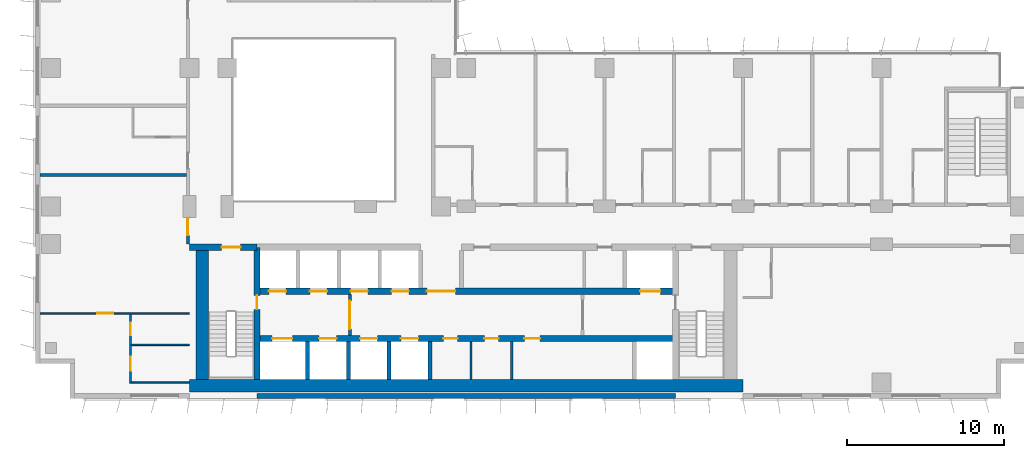
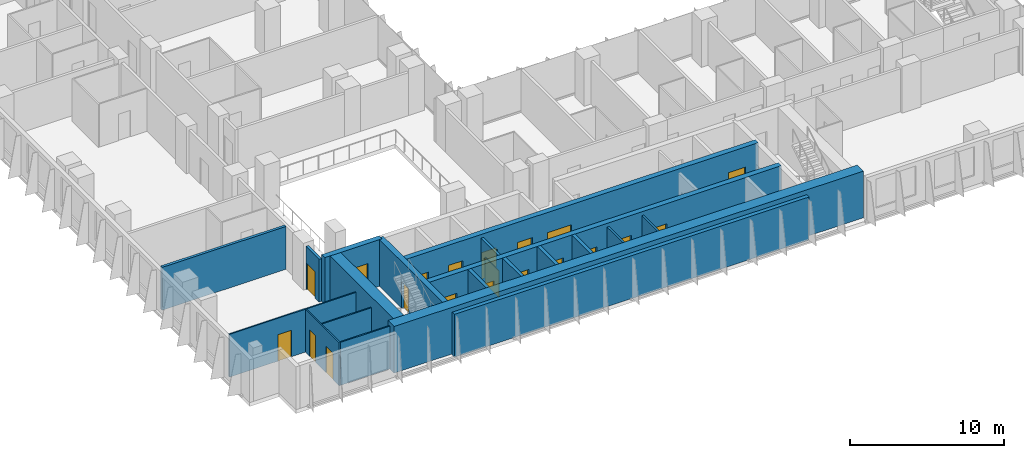
# One storey, part 12 of 22: 20 doors, 20 walls, 20 openings.
"""IFC4 building model written with IfcOpenShell, lengths in metres."""

from ifc_helpers import new_model, si_unit, direction, frame, frame_2d, origin, place, context, subcontext, project, spatial, rectangle, extrude, material, layer, layer_set, type_object, element, fill, save


model = new_model("IFC4")

# Units and contexts
model_context = context("Model", 3, precision=1e-05, world=origin(), true_north=direction((0.0, 1.0)))
body_context = subcontext(model_context, "Body", "Model", "MODEL_VIEW")
ifc_project = project(units=[si_unit("LENGTHUNIT", "METRE"), si_unit("AREAUNIT", "SQUARE_METRE"), si_unit("VOLUMEUNIT", "CUBIC_METRE"), si_unit("PLANEANGLEUNIT", "RADIAN"), si_unit("MASSUNIT", "GRAM", prefix="KILO")], contexts=[model_context])

# Site, building, storey
site_placement = place(None, origin())
site = spatial("IfcSite", under=ifc_project, at=site_placement, CompositionType="ELEMENT")
building_placement = place(site_placement, origin())
building = spatial("IfcBuilding", under=site, at=building_placement, Name="Kemantara Hotel Tower", CompositionType="ELEMENT")
storey_placement = place(building_placement, frame((0.0, 0.0, 111.10009765625)))
storey = spatial("IfcBuildingStorey", under=building, at=storey_placement, Name="L26", CompositionType="ELEMENT", Elevation=111.10009765625)

# Walls
ifc_material_1 = material(Name="Bronze anodised aluminium cladding on insulated steel stud wall", Category="steel")
ifc_layer_1 = layer(ifc_material_1, 0.300048828125)
ifc_layer_set_1 = layer_set([ifc_layer_1], Name="Bronze anodised aluminium cladding on insulated steel stud wall")
wall_type_1 = type_object("IfcWallType", Name="BRONZE METAL-CLAD EXTERNAL WALL 300", PredefinedType="STANDARD", material=ifc_layer_set_1)
wall_1_placement = place(storey_placement, frame((14.10009765625, 0.14990234375, 0.0), z_axis=(0.0, 0.0, 1.0), x_axis=(1.0, 0.0, 0.0)))
element("IfcWall", 1, at=wall_1_placement, inside=storey, type_object=wall_type_1, Name="EXTERNAL WALL L26 T2-R07-2", PredefinedType="STANDARD", context=body_context, shape_type="SweptSolid", body=[
    extrude(rectangle(XDim=26.599853515625, YDim=0.300048828125, at=frame_2d((13.2998046875, 0.0))), origin(), (0.0, 0.0, 1.0), 3.39990234375),
])
ifc_material_2 = material(Name="Concrete fc 70 MPa", Category="concrete")
ifc_layer_2 = layer(ifc_material_2, 0.25)
ifc_layer_set_2 = layer_set([ifc_layer_2], Name="Concrete fc 70 MPa")
wall_type_2 = type_object("IfcWallType", Name="CORE WALL 250 FC70", PredefinedType="SHEAR", material=ifc_layer_set_2)
for number, where, z_axis, x_axis, name in (
    (2, (17.300048828125, 1.199951171875, 0.0), (0.0, 0.0, 1.0), (0.0, 1.0, 0.0), "CORE WALL CW-DS17.3"),
    (3, (19.89990234375, 1.199951171875, 0.0), (0.0, 0.0, 1.0), (0.0, 1.0, 0.0), "CORE WALL CW-DS19.9"),
    (4, (22.5, 1.199951171875, 0.0), (0.0, 0.0, 1.0), (0.0, 1.0, 0.0), "CORE WALL CW-DS22.5"),
    (5, (25.10009765625, 1.199951171875, 0.0), (0.0, 0.0, 1.0), (0.0, 1.0, 0.0), "CORE WALL CW-DS25.1"),
):
    element("IfcWall", number, at=place(storey_placement, frame(where, z_axis=z_axis, x_axis=x_axis)), inside=storey, type_object=wall_type_2, Name=name, PredefinedType="SHEAR", context=body_context, shape_type="SweptSolid", body=[
        extrude(rectangle(XDim=2.400146484375, YDim=0.25, at=frame_2d((1.2001953125, 0.0))), origin(), (0.0, 0.0, 1.0), 3.699951171875),
    ])

# Wall, opening, door
ifc_layer_3 = layer(ifc_material_2, 0.39990234375)
ifc_layer_set_3 = layer_set([ifc_layer_3], Name="Concrete fc 70 MPa")
wall_type_3 = type_object("IfcWallType", Name="CORE WALL 400 FC70", PredefinedType="SHEAR", material=ifc_layer_set_3)
wall_2_placement = place(storey_placement, frame((9.800048828125, 9.60009765625, 0.0), z_axis=(0.0, 0.0, 1.0), x_axis=(1.0, 0.0, 0.0)))
wall_2 = element("IfcWall", 6, at=wall_2_placement, inside=storey, type_object=wall_type_3, Name="CORE WALL CW-N1", PredefinedType="SHEAR", context=body_context, shape_type="SweptSolid", body=[
    extrude(rectangle(XDim=4.300048828125, YDim=0.39990234375, at=frame_2d((2.14990234375, 0.0))), origin(), (0.0, 0.0, 1.0), 3.699951171875),
])
opening_1_placement = place(wall_2_placement, frame((2.050048828125, 0.0, 0.0)))
opening_1 = element("IfcOpeningElement", 7, at=opening_1_placement, cuts=wall_2, Name="Opening C19-ST1-C", PredefinedType="OPENING", context=body_context, shape_type="SweptSolid", body=[
    extrude(rectangle(XDim=1.199951171875, YDim=2.10009765625, at=frame_2d((0.60009765625, 1.050048828125))), frame((0.0, 0.2099609375, 0.0), z_axis=(0.0, -1.0, 0.0), x_axis=(1.0, 0.0, 0.0)), (0.0, 0.0, 1.0), 0.419921875),
])
ifc_material_3 = material(Name="Steel fire door", Category="steel")
door_type_1 = type_object("IfcDoorType", Name="Fire door FD90 1200 x 2100", OperationType="NOTDEFINED", PredefinedType="DOOR", material=ifc_material_3)
door_1_placement = place(opening_1_placement, frame((1.199951171875, 0.0, 0.0), z_axis=(0.0, 0.0, 1.0), x_axis=(-1.0, 0.0, 0.0)))
door_1 = element("IfcDoor", 8, at=door_1_placement, inside=storey, type_object=door_type_1, Name="Stair ST1 door to corridor", OperationType="SINGLE_SWING_LEFT", OverallHeight=2.10009765625, OverallWidth=1.199951171875, PredefinedType="DOOR", context=body_context, shape_type="SweptSolid", body=[
    extrude(rectangle(XDim=1.199951171875, YDim=2.10009765625, at=frame_2d((0.60009765625, 1.050048828125))), frame((0.0, 0.02490234375, 0.0), z_axis=(0.0, -1.0, 0.0), x_axis=(1.0, 0.0, 0.0)), (0.0, 0.0, 1.0), 0.050048828125),
])
fill(opening_1, door_1)

# Wall, openings, doors
wall_3_placement = place(storey_placement, frame((14.10009765625, 3.800048828125, 0.0), z_axis=(0.0, 0.0, 1.0), x_axis=(1.0, 0.0, 0.0)))
wall_3 = element("IfcWall", 9, at=wall_3_placement, inside=storey, type_object=wall_type_3, Name="CORE WALL CW-L1", PredefinedType="SHEAR", context=body_context, shape_type="SweptSolid", body=[
    extrude(rectangle(XDim=26.599853515625, YDim=0.39990234375, at=frame_2d((13.2998046875, 0.0))), origin(), (0.0, 0.0, 1.0), 3.699951171875),
])
opening_2_placement = place(wall_3_placement, frame((0.949951171875, 0.0, 0.0)))
opening_2 = element("IfcOpeningElement", 10, at=opening_2_placement, cuts=wall_3, Name="Opening C19-LD-FF1", PredefinedType="OPENING", context=body_context, shape_type="SweptSolid", body=[
    extrude(rectangle(XDim=1.300048828125, YDim=2.10009765625, at=frame_2d((0.64990234375, 1.050048828125))), frame((0.0, 0.2099609375, 0.0), z_axis=(0.0, -1.0, 0.0), x_axis=(1.0, 0.0, 0.0)), (0.0, 0.0, 1.0), 0.419921875),
])
opening_3_placement = place(wall_3_placement, frame((3.949951171875, 0.0, 0.0)))
opening_3 = element("IfcOpeningElement", 11, at=opening_3_placement, cuts=wall_3, Name="Opening C19-LD-SV1", PredefinedType="OPENING", context=body_context, shape_type="SweptSolid", body=[
    extrude(rectangle(XDim=1.10009765625, YDim=2.10009765625, at=frame_2d((0.550048828125, 1.050048828125))), frame((0.0, 0.2099609375, 0.0), z_axis=(0.0, -1.0, 0.0), x_axis=(1.0, 0.0, 0.0)), (0.0, 0.0, 1.0), 0.419921875),
])
opening_4_placement = place(wall_3_placement, frame((6.550048828125, 0.0, 0.0)))
opening_4 = element("IfcOpeningElement", 12, at=opening_4_placement, cuts=wall_3, Name="Opening C19-LD-SV2", PredefinedType="OPENING", context=body_context, shape_type="SweptSolid", body=[
    extrude(rectangle(XDim=1.10009765625, YDim=2.10009765625, at=frame_2d((0.550048828125, 1.050048828125))), frame((0.0, 0.2099609375, 0.0), z_axis=(0.0, -1.0, 0.0), x_axis=(1.0, 0.0, 0.0)), (0.0, 0.0, 1.0), 0.419921875),
])
opening_5_placement = place(wall_3_placement, frame((9.14990234375, 0.0, 0.0)))
opening_5 = element("IfcOpeningElement", 13, at=opening_5_placement, cuts=wall_3, Name="Opening C19-LD-SV3", PredefinedType="OPENING", context=body_context, shape_type="SweptSolid", body=[
    extrude(rectangle(XDim=1.10009765625, YDim=2.10009765625, at=frame_2d((0.550048828125, 1.050048828125))), frame((0.0, 0.2099609375, 0.0), z_axis=(0.0, -1.0, 0.0), x_axis=(1.0, 0.0, 0.0)), (0.0, 0.0, 1.0), 0.419921875),
])
opening_6_placement = place(wall_3_placement, frame((11.85009765625, 0.0, 0.0)))
opening_6 = element("IfcOpeningElement", 14, at=opening_6_placement, cuts=wall_3, Name="Opening C19-R-SM1", PredefinedType="OPENING", context=body_context, shape_type="SweptSolid", body=[
    extrude(rectangle(XDim=0.89990234375, YDim=2.10009765625, at=frame_2d((0.449951171875, 1.050048828125))), frame((0.0, 0.2099609375, 0.0), z_axis=(0.0, -1.0, 0.0), x_axis=(1.0, 0.0, 0.0)), (0.0, 0.0, 1.0), 0.419921875),
])
opening_7_placement = place(wall_3_placement, frame((14.449951171875, 0.0, 0.0)))
opening_7 = element("IfcOpeningElement", 15, at=opening_7_placement, cuts=wall_3, Name="Opening C19-R-SM2", PredefinedType="OPENING", context=body_context, shape_type="SweptSolid", body=[
    extrude(rectangle(XDim=0.89990234375, YDim=2.10009765625, at=frame_2d((0.449951171875, 1.050048828125))), frame((0.0, 0.2099609375, 0.0), z_axis=(0.0, -1.0, 0.0), x_axis=(1.0, 0.0, 0.0)), (0.0, 0.0, 1.0), 0.419921875),
])
opening_8_placement = place(wall_3_placement, frame((17.0, 0.0, 0.0)))
opening_8 = element("IfcOpeningElement", 16, at=opening_8_placement, cuts=wall_3, Name="Opening C19-R-SM3", PredefinedType="OPENING", context=body_context, shape_type="SweptSolid", body=[
    extrude(rectangle(XDim=1.0, YDim=2.10009765625, at=frame_2d((0.5, 1.050048828125))), frame((0.0, 0.2099609375, 0.0), z_axis=(0.0, -1.0, 0.0), x_axis=(1.0, 0.0, 0.0)), (0.0, 0.0, 1.0), 0.419921875),
])
door_type_2 = type_object("IfcDoorType", Name="Fire door FD30S 1000 x 2100", OperationType="NOTDEFINED", PredefinedType="DOOR", material=ifc_material_3)
door_2_placement = place(opening_8_placement, frame((1.0, 0.0, 0.0), z_axis=(0.0, 0.0, 1.0), x_axis=(-1.0, 0.0, 0.0)))
door_2 = element("IfcDoor", 17, at=door_2_placement, inside=storey, type_object=door_type_2, Name="Linen Store door", OperationType="SINGLE_SWING_LEFT", OverallHeight=2.10009765625, OverallWidth=1.0, PredefinedType="DOOR", context=body_context, shape_type="SweptSolid", body=[
    extrude(rectangle(XDim=1.0, YDim=2.10009765625, at=frame_2d((0.5, 1.050048828125))), frame((0.0, 0.02490234375, 0.0), z_axis=(0.0, -1.0, 0.0), x_axis=(1.0, 0.0, 0.0)), (0.0, 0.0, 1.0), 0.050048828125),
])
fill(opening_8, door_2)
door_type_3 = type_object("IfcDoorType", Name="Fire door FD30S 900 x 2100", OperationType="NOTDEFINED", PredefinedType="DOOR", material=ifc_material_3)
door_3_placement = place(opening_7_placement, frame((0.89990234375, 0.0, 0.0), z_axis=(0.0, 0.0, 1.0), x_axis=(-1.0, 0.0, 0.0)))
door_3 = element("IfcDoor", 18, at=door_3_placement, inside=storey, type_object=door_type_3, Name="Staff Wc door", OperationType="SINGLE_SWING_LEFT", OverallHeight=2.10009765625, OverallWidth=0.89990234375, PredefinedType="DOOR", context=body_context, shape_type="SweptSolid", body=[
    extrude(rectangle(XDim=0.89990234375, YDim=2.10009765625, at=frame_2d((0.449951171875, 1.050048828125))), frame((0.0, 0.02490234375, 0.0), z_axis=(0.0, -1.0, 0.0), x_axis=(1.0, 0.0, 0.0)), (0.0, 0.0, 1.0), 0.050048828125),
])
fill(opening_7, door_3)
door_type_4 = type_object("IfcDoorType", Name="Fire door FD60 900 x 2100", OperationType="NOTDEFINED", PredefinedType="DOOR", material=ifc_material_3)
door_4_placement = place(opening_6_placement, frame((0.89990234375, 0.0, 0.0), z_axis=(0.0, 0.0, 1.0), x_axis=(-1.0, 0.0, 0.0)))
door_4 = element("IfcDoor", 19, at=door_4_placement, inside=storey, type_object=door_type_4, Name="Electrical Riser Room door", OperationType="SINGLE_SWING_RIGHT", OverallHeight=2.10009765625, OverallWidth=0.89990234375, PredefinedType="DOOR", context=body_context, shape_type="SweptSolid", body=[
    extrude(rectangle(XDim=0.89990234375, YDim=2.10009765625, at=frame_2d((0.449951171875, 1.050048828125))), frame((0.0, 0.02490234375, 0.0), z_axis=(0.0, -1.0, 0.0), x_axis=(1.0, 0.0, 0.0)), (0.0, 0.0, 1.0), 0.050048828125),
])
fill(opening_6, door_4)
ifc_material_4 = material(Name="Stainless steel lift door", Category="steel")
door_type_5 = type_object("IfcDoorType", Name="Lift landing door 1100 x 2100 FD60", OperationType="DOUBLE_DOOR_SLIDING", PredefinedType="DOOR", material=ifc_material_4)
door_5_placement = place(opening_3_placement, origin())
door_5 = element("IfcDoor", 20, at=door_5_placement, inside=storey, type_object=door_type_5, Name="Lift SV1 landing door", OperationType="DOUBLE_DOOR_SLIDING", OverallHeight=2.10009765625, OverallWidth=1.10009765625, PredefinedType="DOOR", context=body_context, shape_type="SweptSolid", body=[
    extrude(rectangle(XDim=1.10009765625, YDim=2.10009765625, at=frame_2d((0.550048828125, 1.050048828125))), frame((0.0, 0.02490234375, 0.0), z_axis=(0.0, -1.0, 0.0), x_axis=(1.0, 0.0, 0.0)), (0.0, 0.0, 1.0), 0.050048828125),
])
fill(opening_3, door_5)
door_6_placement = place(opening_4_placement, origin())
door_6 = element("IfcDoor", 21, at=door_6_placement, inside=storey, type_object=door_type_5, Name="Lift SV2 landing door", OperationType="DOUBLE_DOOR_SLIDING", OverallHeight=2.10009765625, OverallWidth=1.10009765625, PredefinedType="DOOR", context=body_context, shape_type="SweptSolid", body=[
    extrude(rectangle(XDim=1.10009765625, YDim=2.10009765625, at=frame_2d((0.550048828125, 1.050048828125))), frame((0.0, 0.02490234375, 0.0), z_axis=(0.0, -1.0, 0.0), x_axis=(1.0, 0.0, 0.0)), (0.0, 0.0, 1.0), 0.050048828125),
])
fill(opening_4, door_6)
door_7_placement = place(opening_5_placement, origin())
door_7 = element("IfcDoor", 22, at=door_7_placement, inside=storey, type_object=door_type_5, Name="Lift SV3 landing door", OperationType="DOUBLE_DOOR_SLIDING", OverallHeight=2.10009765625, OverallWidth=1.10009765625, PredefinedType="DOOR", context=body_context, shape_type="SweptSolid", body=[
    extrude(rectangle(XDim=1.10009765625, YDim=2.10009765625, at=frame_2d((0.550048828125, 1.050048828125))), frame((0.0, 0.02490234375, 0.0), z_axis=(0.0, -1.0, 0.0), x_axis=(1.0, 0.0, 0.0)), (0.0, 0.0, 1.0), 0.050048828125),
])
fill(opening_5, door_7)
door_type_6 = type_object("IfcDoorType", Name="Lift landing door 1300 x 2100 FD90", OperationType="DOUBLE_DOOR_SLIDING", PredefinedType="DOOR", material=ifc_material_4)
door_8_placement = place(opening_2_placement, origin())
door_8 = element("IfcDoor", 23, at=door_8_placement, inside=storey, type_object=door_type_6, Name="Lift FF1 landing door", OperationType="DOUBLE_DOOR_SLIDING", OverallHeight=2.10009765625, OverallWidth=1.300048828125, PredefinedType="DOOR", context=body_context, shape_type="SweptSolid", body=[
    extrude(rectangle(XDim=1.300048828125, YDim=2.10009765625, at=frame_2d((0.64990234375, 1.050048828125))), frame((0.0, 0.02490234375, 0.0), z_axis=(0.0, -1.0, 0.0), x_axis=(1.0, 0.0, 0.0)), (0.0, 0.0, 1.0), 0.050048828125),
])
fill(opening_2, door_8)

wall_4_placement = place(storey_placement, frame((14.10009765625, 6.800048828125, 0.0), z_axis=(0.0, 0.0, 1.0), x_axis=(1.0, 0.0, 0.0)))
wall_4 = element("IfcWall", 24, at=wall_4_placement, inside=storey, type_object=wall_type_3, Name="CORE WALL CW-L2", PredefinedType="SHEAR", context=body_context, shape_type="SweptSolid", body=[
    extrude(rectangle(XDim=26.599853515625, YDim=0.39990234375, at=frame_2d((13.2998046875, 0.0))), origin(), (0.0, 0.0, 1.0), 3.699951171875),
])
opening_9_placement = place(wall_4_placement, frame((10.800048828125, 0.0, 0.0)))
opening_9 = element("IfcOpeningElement", 25, at=opening_9_placement, cuts=wall_4, Name="Opening C19-VL", PredefinedType="OPENING", context=body_context, shape_type="SweptSolid", body=[
    extrude(rectangle(XDim=1.800048828125, YDim=2.10009765625, at=frame_2d((0.89990234375, 1.050048828125))), frame((0.0, 0.2099609375, 0.0), z_axis=(0.0, -1.0, 0.0), x_axis=(1.0, 0.0, 0.0)), (0.0, 0.0, 1.0), 0.419921875),
])
opening_10_placement = place(wall_4_placement, frame((0.75, 0.0, 0.0)))
opening_10 = element("IfcOpeningElement", 26, at=opening_10_placement, cuts=wall_4, Name="Opening C19-LD-MR1", PredefinedType="OPENING", context=body_context, shape_type="SweptSolid", body=[
    extrude(rectangle(XDim=1.10009765625, YDim=2.10009765625, at=frame_2d((0.550048828125, 1.050048828125))), frame((0.0, 0.2099609375, 0.0), z_axis=(0.0, -1.0, 0.0), x_axis=(1.0, 0.0, 0.0)), (0.0, 0.0, 1.0), 0.419921875),
])
opening_11_placement = place(wall_4_placement, frame((3.35009765625, 0.0, 0.0)))
opening_11 = element("IfcOpeningElement", 27, at=opening_11_placement, cuts=wall_4, Name="Opening C19-LD-MR2", PredefinedType="OPENING", context=body_context, shape_type="SweptSolid", body=[
    extrude(rectangle(XDim=1.10009765625, YDim=2.10009765625, at=frame_2d((0.550048828125, 1.050048828125))), frame((0.0, 0.2099609375, 0.0), z_axis=(0.0, -1.0, 0.0), x_axis=(1.0, 0.0, 0.0)), (0.0, 0.0, 1.0), 0.419921875),
])
opening_12_placement = place(wall_4_placement, frame((5.949951171875, 0.0, 0.0)))
opening_12 = element("IfcOpeningElement", 28, at=opening_12_placement, cuts=wall_4, Name="Opening C19-LD-MR3", PredefinedType="OPENING", context=body_context, shape_type="SweptSolid", body=[
    extrude(rectangle(XDim=1.10009765625, YDim=2.10009765625, at=frame_2d((0.550048828125, 1.050048828125))), frame((0.0, 0.2099609375, 0.0), z_axis=(0.0, -1.0, 0.0), x_axis=(1.0, 0.0, 0.0)), (0.0, 0.0, 1.0), 0.419921875),
])
opening_13_placement = place(wall_4_placement, frame((8.550048828125, 0.0, 0.0)))
opening_13 = element("IfcOpeningElement", 29, at=opening_13_placement, cuts=wall_4, Name="Opening C19-LD-MR4", PredefinedType="OPENING", context=body_context, shape_type="SweptSolid", body=[
    extrude(rectangle(XDim=1.10009765625, YDim=2.10009765625, at=frame_2d((0.550048828125, 1.050048828125))), frame((0.0, 0.2099609375, 0.0), z_axis=(0.0, -1.0, 0.0), x_axis=(1.0, 0.0, 0.0)), (0.0, 0.0, 1.0), 0.419921875),
])
opening_14_placement = place(wall_4_placement, frame((24.35009765625, 0.0, 0.0)))
opening_14 = element("IfcOpeningElement", 30, at=opening_14_placement, cuts=wall_4, Name="Opening C19-LD-FF2", PredefinedType="OPENING", context=body_context, shape_type="SweptSolid", body=[
    extrude(rectangle(XDim=1.300048828125, YDim=2.10009765625, at=frame_2d((0.64990234375, 1.050048828125))), frame((0.0, 0.2099609375, 0.0), z_axis=(0.0, -1.0, 0.0), x_axis=(1.0, 0.0, 0.0)), (0.0, 0.0, 1.0), 0.419921875),
])
door_type_7 = type_object("IfcDoorType", Name="Fire door pair FD60 1800 x 2100", OperationType="DOUBLE_DOOR_SINGLE_SWING", PredefinedType="DOOR", material=ifc_material_3)
door_9_placement = place(opening_9_placement, frame((1.800048828125, 0.0, 0.0), z_axis=(0.0, 0.0, 1.0), x_axis=(-1.0, 0.0, 0.0)))
door_9 = element("IfcDoor", 31, at=door_9_placement, inside=storey, type_object=door_type_7, Name="Lift lobby entry door", OperationType="DOUBLE_DOOR_SINGLE_SWING", OverallHeight=2.10009765625, OverallWidth=1.800048828125, PredefinedType="DOOR", context=body_context, shape_type="SweptSolid", body=[
    extrude(rectangle(XDim=1.800048828125, YDim=2.10009765625, at=frame_2d((0.89990234375, 1.050048828125))), frame((0.0, 0.02490234375, 0.0), z_axis=(0.0, -1.0, 0.0), x_axis=(1.0, 0.0, 0.0)), (0.0, 0.0, 1.0), 0.050048828125),
])
fill(opening_9, door_9)
door_10_placement = place(opening_10_placement, origin())
door_10 = element("IfcDoor", 32, at=door_10_placement, inside=storey, type_object=door_type_5, Name="Lift MR1 landing door", OperationType="DOUBLE_DOOR_SLIDING", OverallHeight=2.10009765625, OverallWidth=1.10009765625, PredefinedType="DOOR", context=body_context, shape_type="SweptSolid", body=[
    extrude(rectangle(XDim=1.10009765625, YDim=2.10009765625, at=frame_2d((0.550048828125, 1.050048828125))), frame((0.0, 0.02490234375, 0.0), z_axis=(0.0, -1.0, 0.0), x_axis=(1.0, 0.0, 0.0)), (0.0, 0.0, 1.0), 0.050048828125),
])
fill(opening_10, door_10)
door_11_placement = place(opening_11_placement, origin())
door_11 = element("IfcDoor", 33, at=door_11_placement, inside=storey, type_object=door_type_5, Name="Lift MR2 landing door", OperationType="DOUBLE_DOOR_SLIDING", OverallHeight=2.10009765625, OverallWidth=1.10009765625, PredefinedType="DOOR", context=body_context, shape_type="SweptSolid", body=[
    extrude(rectangle(XDim=1.10009765625, YDim=2.10009765625, at=frame_2d((0.550048828125, 1.050048828125))), frame((0.0, 0.02490234375, 0.0), z_axis=(0.0, -1.0, 0.0), x_axis=(1.0, 0.0, 0.0)), (0.0, 0.0, 1.0), 0.050048828125),
])
fill(opening_11, door_11)
door_12_placement = place(opening_12_placement, origin())
door_12 = element("IfcDoor", 34, at=door_12_placement, inside=storey, type_object=door_type_5, Name="Lift MR3 landing door", OperationType="DOUBLE_DOOR_SLIDING", OverallHeight=2.10009765625, OverallWidth=1.10009765625, PredefinedType="DOOR", context=body_context, shape_type="SweptSolid", body=[
    extrude(rectangle(XDim=1.10009765625, YDim=2.10009765625, at=frame_2d((0.550048828125, 1.050048828125))), frame((0.0, 0.02490234375, 0.0), z_axis=(0.0, -1.0, 0.0), x_axis=(1.0, 0.0, 0.0)), (0.0, 0.0, 1.0), 0.050048828125),
])
fill(opening_12, door_12)
door_13_placement = place(opening_13_placement, origin())
door_13 = element("IfcDoor", 35, at=door_13_placement, inside=storey, type_object=door_type_5, Name="Lift MR4 landing door", OperationType="DOUBLE_DOOR_SLIDING", OverallHeight=2.10009765625, OverallWidth=1.10009765625, PredefinedType="DOOR", context=body_context, shape_type="SweptSolid", body=[
    extrude(rectangle(XDim=1.10009765625, YDim=2.10009765625, at=frame_2d((0.550048828125, 1.050048828125))), frame((0.0, 0.02490234375, 0.0), z_axis=(0.0, -1.0, 0.0), x_axis=(1.0, 0.0, 0.0)), (0.0, 0.0, 1.0), 0.050048828125),
])
fill(opening_13, door_13)
door_14_placement = place(opening_14_placement, origin())
door_14 = element("IfcDoor", 36, at=door_14_placement, inside=storey, type_object=door_type_6, Name="Lift FF2 landing door", OperationType="DOUBLE_DOOR_SLIDING", OverallHeight=2.10009765625, OverallWidth=1.300048828125, PredefinedType="DOOR", context=body_context, shape_type="SweptSolid", body=[
    extrude(rectangle(XDim=1.300048828125, YDim=2.10009765625, at=frame_2d((0.64990234375, 1.050048828125))), frame((0.0, 0.02490234375, 0.0), z_axis=(0.0, -1.0, 0.0), x_axis=(1.0, 0.0, 0.0)), (0.0, 0.0, 1.0), 0.050048828125),
])
fill(opening_14, door_14)

# Wall, opening, door
wall_5_placement = place(storey_placement, frame((14.10009765625, 1.199951171875, 0.0), z_axis=(0.0, 0.0, 1.0), x_axis=(0.0, 1.0, 0.0)))
wall_5 = element("IfcWall", 37, at=wall_5_placement, inside=storey, type_object=wall_type_3, Name="CORE WALL CW-ST1E", PredefinedType="SHEAR", context=body_context, shape_type="SweptSolid", body=[
    extrude(rectangle(XDim=8.400146484375, YDim=0.39990234375, at=frame_2d((4.2001953125, 0.0))), origin(), (0.0, 0.0, 1.0), 3.699951171875),
])
opening_15_placement = place(wall_5_placement, frame((4.449951171875, 0.0, 0.0)))
opening_15 = element("IfcOpeningElement", 38, at=opening_15_placement, cuts=wall_5, Name="Opening C19-ST1-F", PredefinedType="OPENING", context=body_context, shape_type="SweptSolid", body=[
    extrude(rectangle(XDim=0.89990234375, YDim=2.10009765625, at=frame_2d((0.449951171875, 1.050048828125))), frame((0.0, 0.2099609375, 0.0), z_axis=(0.0, -1.0, 0.0), x_axis=(1.0, 0.0, 0.0)), (0.0, 0.0, 1.0), 0.419921875),
])
door_type_8 = type_object("IfcDoorType", Name="Fire door FD90 900 x 2100", OperationType="NOTDEFINED", PredefinedType="DOOR", material=ifc_material_3)
door_15_placement = place(opening_15_placement, origin())
door_15 = element("IfcDoor", 39, at=door_15_placement, inside=storey, type_object=door_type_8, Name="Stair ST1 door to firefighting lobby", OperationType="SINGLE_SWING_RIGHT", OverallHeight=2.10009765625, OverallWidth=0.89990234375, PredefinedType="DOOR", context=body_context, shape_type="SweptSolid", body=[
    extrude(rectangle(XDim=0.89990234375, YDim=2.10009765625, at=frame_2d((0.449951171875, 1.050048828125))), frame((0.0, 0.02490234375, 0.0), z_axis=(0.0, -1.0, 0.0), x_axis=(1.0, 0.0, 0.0)), (0.0, 0.0, 1.0), 0.050048828125),
])
fill(opening_15, door_15)

# Walls
ifc_layer_4 = layer(ifc_material_2, 0.800048828125)
ifc_layer_set_4 = layer_set([ifc_layer_4], Name="Concrete fc 70 MPa")
wall_type_4 = type_object("IfcWallType", Name="CORE WALL 800 FC70", PredefinedType="SHEAR", material=ifc_layer_set_4)
wall_6_placement = place(storey_placement, frame((9.800048828125, 0.800048828125, 0.0), z_axis=(0.0, 0.0, 1.0), x_axis=(1.0, 0.0, 0.0)))
element("IfcWall", 40, at=wall_6_placement, inside=storey, type_object=wall_type_4, Name="CORE WALL CW-S", PredefinedType="SHEAR", context=body_context, shape_type="SweptSolid", body=[
    extrude(rectangle(XDim=35.199951171875, YDim=0.800048828125, at=frame_2d((17.60009765625, 0.0))), origin(), (0.0, 0.0, 1.0), 3.699951171875),
])
wall_7_placement = place(storey_placement, frame((10.60009765625, 1.199951171875, 0.0), z_axis=(0.0, 0.0, 1.0), x_axis=(0.0, 1.0, 0.0)))
element("IfcWall", 41, at=wall_7_placement, inside=storey, type_object=wall_type_4, Name="CORE WALL CW-W", PredefinedType="SHEAR", context=body_context, shape_type="SweptSolid", body=[
    extrude(rectangle(XDim=8.60009765625, YDim=0.800048828125, at=frame_2d((4.300048828125, 0.0))), origin(), (0.0, 0.0, 1.0), 3.699951171875),
])

# Wall, opening, door
ifc_material_5 = material(Name="Gypsum board partition, steel studs and mineral wool, 200 mm", Category="steel")
ifc_layer_5 = layer(ifc_material_5, 0.199951171875)
ifc_layer_set_5 = layer_set([ifc_layer_5], Name="Gypsum board partition, steel studs and mineral wool, 200 mm")
wall_type_5 = type_object("IfcWallType", Name="CORRIDOR WALL 200", PredefinedType="PARTITIONING", material=ifc_layer_set_5)
wall_8_placement = place(storey_placement, frame((9.699951171875, 9.800048828125, 0.0), z_axis=(0.0, 0.0, 1.0), x_axis=(0.0, 1.0, 0.0)))
wall_8 = element("IfcWall", 42, at=wall_8_placement, inside=storey, type_object=wall_type_5, Name="CORRIDOR WALL 200 016", PredefinedType="PARTITIONING", context=body_context, shape_type="SweptSolid", body=[
    extrude(rectangle(XDim=1.699951171875, YDim=0.199951171875, at=frame_2d((0.85009765625, 0.0))), origin(), (0.0, 0.0, 1.0), 3.39990234375),
])
opening_16_placement = place(wall_8_placement, frame((0.550048828125, 0.0, 0.0)))
opening_16 = element("IfcOpeningElement", 43, at=opening_16_placement, cuts=wall_8, Name="Opening F11-017", PredefinedType="OPENING", context=body_context, shape_type="SweptSolid", body=[
    extrude(rectangle(XDim=1.10009765625, YDim=2.10009765625, at=frame_2d((0.550048828125, 1.050048828125))), frame((0.0, 0.10986328125, 0.0), z_axis=(0.0, -1.0, 0.0), x_axis=(1.0, 0.0, 0.0)), (0.0, 0.0, 1.0), 0.219970703125),
])
ifc_material_6 = material(Name="Hardwood veneer door leaf with steel frame", Category="steel")
door_type_9 = type_object("IfcDoorType", Name="SUITE ENTRANCE DOOR 1100 X 2100 FD30S", OperationType="NOTDEFINED", PredefinedType="DOOR", material=ifc_material_6)
door_16_placement = place(opening_16_placement, origin())
door_16 = element("IfcDoor", 44, at=door_16_placement, inside=storey, type_object=door_type_9, Name="SUITE ENTRANCE DOOR F11-017", OperationType="SINGLE_SWING_RIGHT", OverallHeight=2.10009765625, OverallWidth=1.10009765625, PredefinedType="DOOR", context=body_context, shape_type="SweptSolid", body=[
    extrude(rectangle(XDim=1.10009765625, YDim=2.10009765625, at=frame_2d((0.550048828125, 1.050048828125))), frame((0.0, 0.02490234375, 0.0), z_axis=(0.0, -1.0, 0.0), x_axis=(1.0, 0.0, 0.0)), (0.0, 0.0, 1.0), 0.050048828125),
])
fill(opening_16, door_16)

# Walls
ifc_layer_6 = layer(ifc_material_5, 0.199951171875)
ifc_layer_set_6 = layer_set([ifc_layer_6], Name="Gypsum board partition, steel studs and mineral wool, 200 mm")
wall_type_6 = type_object("IfcWallType", Name="GUEST ROOM PARTY WALL 200", PredefinedType="PARTITIONING", material=ifc_layer_set_6)
wall_9_placement = place(storey_placement, frame((0.31005859375, 14.199951171875, 0.0), z_axis=(0.0, 0.0, 1.0), x_axis=(1.0, 0.0, 0.0)))
element("IfcWall", 45, at=wall_9_placement, inside=storey, type_object=wall_type_6, Name="GUEST ROOM PARTY WALL 200 025", PredefinedType="PARTITIONING", context=body_context, shape_type="SweptSolid", body=[
    extrude(rectangle(XDim=9.2900390625, YDim=0.199951171875, at=frame_2d((4.64501953125, 0.0))), origin(), (0.0, 0.0, 1.0), 3.39990234375),
])
ifc_material_7 = material(Name="Gypsum board partition")
ifc_layer_7 = layer(ifc_material_7, 0.14990234375)
ifc_layer_set_7 = layer_set([ifc_layer_7], Name="Gypsum board partition")
wall_type_7 = type_object("IfcWallType", Name="Gypsum board partition 150 mm", PredefinedType="PARTITIONING", material=ifc_layer_set_7)
for number, where, z_axis, x_axis, name in (
    (46, (27.699951171875, 1.199951171875, 0.0), (0.0, 0.0, 1.0), (0.0, 1.0, 0.0), "Core room partition"),
    (47, (30.300048828125, 1.199951171875, 0.0), (0.0, 0.0, 1.0), (0.0, 1.0, 0.0), "Core room partition"),
):
    element("IfcWall", number, at=place(storey_placement, frame(where, z_axis=z_axis, x_axis=x_axis)), inside=storey, type_object=wall_type_7, Name=name, PredefinedType="PARTITIONING", context=body_context, shape_type="SweptSolid", body=[
        extrude(rectangle(XDim=2.400146484375, YDim=0.14990234375, at=frame_2d((1.2001953125, 0.0))), origin(), (0.0, 0.0, 1.0), 3.39990234375),
    ])

# Wall, opening, door
ifc_material_8 = material(Name="Gypsum board shaft wall")
ifc_layer_8 = layer(ifc_material_8, 0.199951171875)
ifc_layer_set_8 = layer_set([ifc_layer_8], Name="Gypsum board shaft wall")
wall_type_8 = type_object("IfcWallType", Name="Gypsum board shaft wall 200 mm", PredefinedType="PARTITIONING", material=ifc_layer_set_8)
wall_10_placement = place(storey_placement, frame((20.0, 4.0, 0.0), z_axis=(0.0, 0.0, 1.0), x_axis=(0.0, 1.0, 0.0)))
wall_10 = element("IfcWall", 48, at=wall_10_placement, inside=storey, type_object=wall_type_8, Name="Firefighting lobby partition west", PredefinedType="PARTITIONING", context=body_context, shape_type="SweptSolid", body=[
    extrude(rectangle(XDim=2.60009765625, YDim=0.199951171875, at=frame_2d((1.300048828125, 0.0))), origin(), (0.0, 0.0, 1.0), 3.39990234375),
])
opening_17_placement = place(wall_10_placement, frame((0.39990234375, 0.0, 0.0)))
opening_17 = element("IfcOpeningElement", 49, at=opening_17_placement, cuts=wall_10, Name="Opening C19-FFW", PredefinedType="OPENING", context=body_context, shape_type="SweptSolid", body=[
    extrude(rectangle(XDim=1.800048828125, YDim=2.10009765625, at=frame_2d((0.89990234375, 1.050048828125))), frame((0.0, 0.10986328125, 0.0), z_axis=(0.0, -1.0, 0.0), x_axis=(1.0, 0.0, 0.0)), (0.0, 0.0, 1.0), 0.219970703125),
])
door_17_placement = place(opening_17_placement, origin())
door_17 = element("IfcDoor", 50, at=door_17_placement, inside=storey, type_object=door_type_7, Name="Firefighting lobby door west", OperationType="DOUBLE_DOOR_SINGLE_SWING", OverallHeight=2.10009765625, OverallWidth=1.800048828125, PredefinedType="DOOR", context=body_context, shape_type="SweptSolid", body=[
    extrude(rectangle(XDim=1.800048828125, YDim=2.10009765625, at=frame_2d((0.89990234375, 1.050048828125))), frame((0.0, 0.02490234375, 0.0), z_axis=(0.0, -1.0, 0.0), x_axis=(1.0, 0.0, 0.0)), (0.0, 0.0, 1.0), 0.050048828125),
])
fill(opening_17, door_17)

# Wall, openings, doors
ifc_material_9 = material(Name="Gypsum board partition on steel studs, 100 mm", Category="steel")
ifc_layer_9 = layer(ifc_material_9, 0.10009765625)
ifc_layer_set_9 = layer_set([ifc_layer_9], Name="Gypsum board partition on steel studs, 100 mm")
wall_type_9 = type_object("IfcWallType", Name="ROOM PARTITION 100", PredefinedType="PARTITIONING", material=ifc_layer_set_9)
wall_11_placement = place(storey_placement, frame((6.050048828125, 5.35009765625, 0.0), z_axis=(0.0, 0.0, 1.0), x_axis=(0.0, -1.0, 0.0)))
wall_11 = element("IfcWall", 51, at=wall_11_placement, inside=storey, type_object=wall_type_9, Name="ROOM PARTITION 100 066", PredefinedType="PARTITIONING", context=body_context, shape_type="SweptSolid", body=[
    extrude(rectangle(XDim=4.400146484375, YDim=0.10009765625, at=frame_2d((2.2001953125, 0.0))), origin(), (0.0, 0.0, 1.0), 3.39990234375),
])
opening_18_placement = place(wall_11_placement, frame((2.699951171875, 0.0, 0.0)))
opening_18 = element("IfcOpeningElement", 52, at=opening_18_placement, cuts=wall_11, Name="Opening F11-019", PredefinedType="OPENING", context=body_context, shape_type="SweptSolid", body=[
    extrude(rectangle(XDim=0.89990234375, YDim=2.10009765625, at=frame_2d((0.449951171875, 1.050048828125))), frame((0.0, 0.06005859375, 0.0), z_axis=(0.0, -1.0, 0.0), x_axis=(1.0, 0.0, 0.0)), (0.0, 0.0, 1.0), 0.1201171875),
])
opening_19_placement = place(wall_11_placement, frame((0.550048828125, 0.0, 0.0)))
opening_19 = element("IfcOpeningElement", 53, at=opening_19_placement, cuts=wall_11, Name="Opening F11-020", PredefinedType="OPENING", context=body_context, shape_type="SweptSolid", body=[
    extrude(rectangle(XDim=0.800048828125, YDim=2.10009765625, at=frame_2d((0.39990234375, 1.050048828125))), frame((0.0, 0.06005859375, 0.0), z_axis=(0.0, -1.0, 0.0), x_axis=(1.0, 0.0, 0.0)), (0.0, 0.0, 1.0), 0.1201171875),
])
door_type_10 = type_object("IfcDoorType", Name="BATHROOM DOOR 900 X 2100", OperationType="NOTDEFINED", PredefinedType="DOOR", material=ifc_material_6)
door_18_placement = place(opening_18_placement, origin())
door_18 = element("IfcDoor", 54, at=door_18_placement, inside=storey, type_object=door_type_10, Name="BATHROOM DOOR F11-019", OperationType="SINGLE_SWING_LEFT", OverallHeight=2.10009765625, OverallWidth=0.89990234375, PredefinedType="DOOR", context=body_context, shape_type="SweptSolid", body=[
    extrude(rectangle(XDim=0.89990234375, YDim=2.10009765625, at=frame_2d((0.449951171875, 1.050048828125))), frame((0.0, 0.02490234375, 0.0), z_axis=(0.0, -1.0, 0.0), x_axis=(1.0, 0.0, 0.0)), (0.0, 0.0, 1.0), 0.050048828125),
])
fill(opening_18, door_18)
door_type_11 = type_object("IfcDoorType", Name="WARDROBE DOOR 800 X 2100", OperationType="NOTDEFINED", PredefinedType="DOOR", material=ifc_material_6)
door_19_placement = place(opening_19_placement, origin())
door_19 = element("IfcDoor", 55, at=door_19_placement, inside=storey, type_object=door_type_11, Name="WARDROBE DOOR F11-020", OperationType="SINGLE_SWING_LEFT", OverallHeight=2.10009765625, OverallWidth=0.800048828125, PredefinedType="DOOR", context=body_context, shape_type="SweptSolid", body=[
    extrude(rectangle(XDim=0.800048828125, YDim=2.10009765625, at=frame_2d((0.39990234375, 1.050048828125))), frame((0.0, 0.02490234375, 0.0), z_axis=(0.0, -1.0, 0.0), x_axis=(1.0, 0.0, 0.0)), (0.0, 0.0, 1.0), 0.050048828125),
])
fill(opening_19, door_19)

# Wall, opening, door
wall_12_placement = place(storey_placement, frame((9.7998046875, 5.39990234375, 0.0), z_axis=(0.0, 0.0, 1.0), x_axis=(-1.0, 0.0, 0.0)))
wall_12 = element("IfcWall", 56, at=wall_12_placement, inside=storey, type_object=wall_type_9, Name="ROOM PARTITION 100 068", PredefinedType="PARTITIONING", context=body_context, shape_type="SweptSolid", body=[
    extrude(rectangle(XDim=9.48974609375, YDim=0.10009765625, at=frame_2d((4.744873046875, 0.0))), origin(), (0.0, 0.0, 1.0), 3.39990234375),
])
opening_20_placement = place(wall_12_placement, frame((4.849853515625, 0.0, 0.0)))
opening_20 = element("IfcOpeningElement", 57, at=opening_20_placement, cuts=wall_12, Name="Opening F11-018", PredefinedType="OPENING", context=body_context, shape_type="SweptSolid", body=[
    extrude(rectangle(XDim=1.0, YDim=2.10009765625, at=frame_2d((0.5, 1.050048828125))), frame((0.0, 0.06005859375, 0.0), z_axis=(0.0, -1.0, 0.0), x_axis=(1.0, 0.0, 0.0)), (0.0, 0.0, 1.0), 0.1201171875),
])
door_type_12 = type_object("IfcDoorType", Name="INTERNAL DOOR 1000 X 2100", OperationType="NOTDEFINED", PredefinedType="DOOR", material=ifc_material_6)
door_20_placement = place(opening_20_placement, origin())
door_20 = element("IfcDoor", 58, at=door_20_placement, inside=storey, type_object=door_type_12, Name="INTERNAL DOOR F11-018", OperationType="SINGLE_SWING_LEFT", OverallHeight=2.10009765625, OverallWidth=1.0, PredefinedType="DOOR", context=body_context, shape_type="SweptSolid", body=[
    extrude(rectangle(XDim=1.0, YDim=2.10009765625, at=frame_2d((0.5, 1.050048828125))), frame((0.0, 0.02490234375, 0.0), z_axis=(0.0, -1.0, 0.0), x_axis=(1.0, 0.0, 0.0)), (0.0, 0.0, 1.0), 0.050048828125),
])
fill(opening_20, door_20)

# Walls
for number, where, z_axis, x_axis, name in (
    (59, (6.10009765625, 1.0, 0.0), (0.0, 0.0, 1.0), (1.0, 0.0, 0.0), "ROOM PARTITION 100 069"),
    (60, (6.10009765625, 3.39990234375, 0.0), (0.0, 0.0, 1.0), (1.0, 0.0, 0.0), "ROOM PARTITION 100 070"),
):
    element("IfcWall", number, at=place(storey_placement, frame(where, z_axis=z_axis, x_axis=x_axis)), inside=storey, type_object=wall_type_9, Name=name, PredefinedType="PARTITIONING", context=body_context, shape_type="SweptSolid", body=[
        extrude(rectangle(XDim=3.69970703125, YDim=0.10009765625, at=frame_2d((1.849853515625, 0.0))), origin(), (0.0, 0.0, 1.0), 3.39990234375),
    ])

save(model, "model.ifc")
